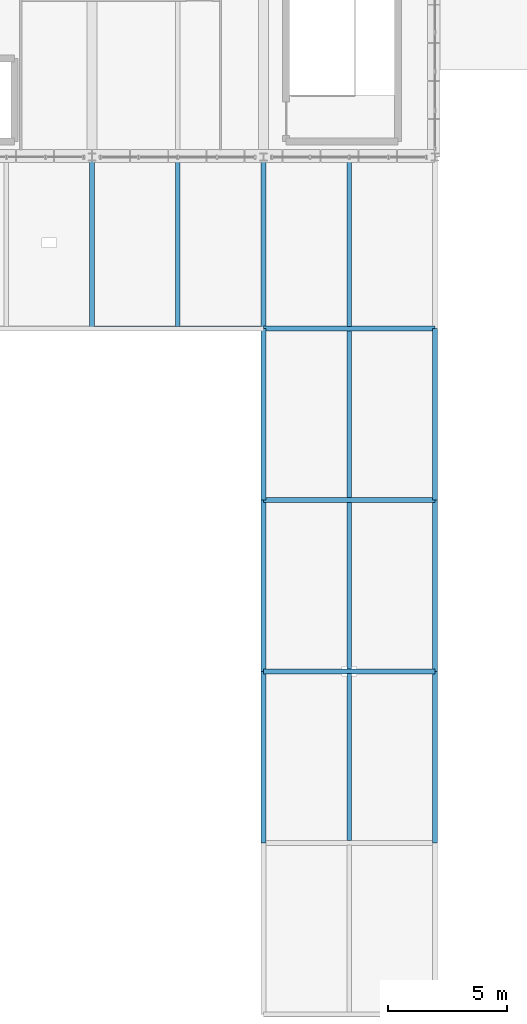
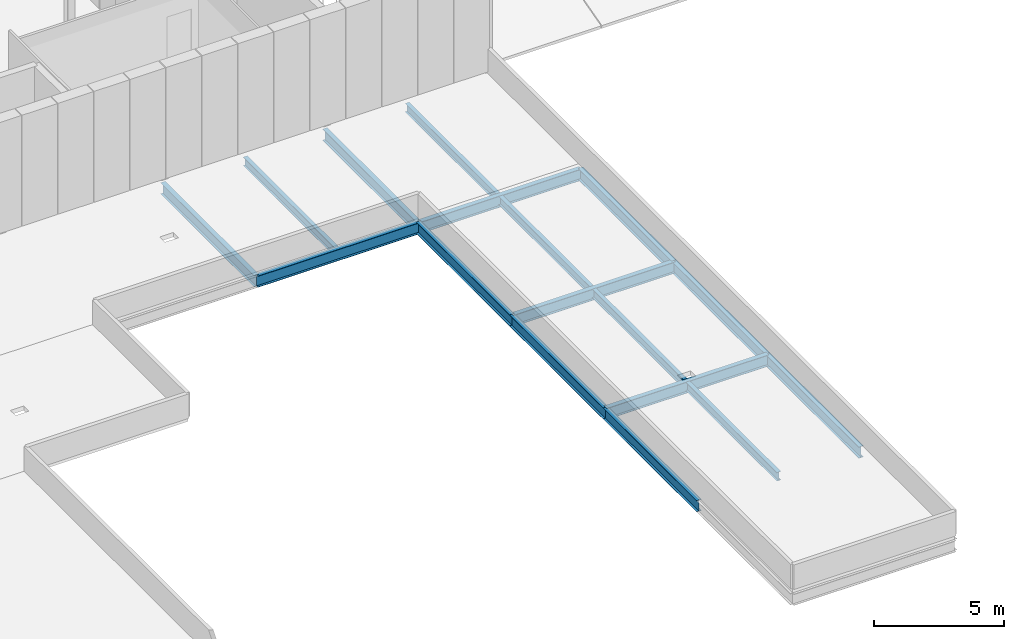
# One storey, part 7 of 47: 17 beams.
"""IFC4 building model written with IfcOpenShell, lengths in metres."""

from ifc_helpers import new_model, si_unit, direction, frame, origin, origin_2d, place, context, subcontext, project, spatial, i_section, extrude, material, material_profile, profile_set, type_object, element, save


model = new_model("IFC4")

# Units and contexts
model_context = context("Model", 3, precision=1e-05, world=origin(), true_north=direction((0.0, 1.0)))
body_context = subcontext(model_context, "Body", "Model", "MODEL_VIEW")
ifc_project = project(units=[si_unit("LENGTHUNIT", "METRE"), si_unit("AREAUNIT", "SQUARE_METRE"), si_unit("VOLUMEUNIT", "CUBIC_METRE"), si_unit("PLANEANGLEUNIT", "RADIAN"), si_unit("MASSUNIT", "GRAM", prefix="KILO")], contexts=[model_context])

# Site, building, storey
site_placement = place(None, origin())
site = spatial("IfcSite", under=ifc_project, at=site_placement, CompositionType="ELEMENT")
building_placement = place(site_placement, origin())
building = spatial("IfcBuilding", under=site, at=building_placement, Name="Yarey Park Central Fire Station", CompositionType="ELEMENT")
storey_placement = place(building_placement, frame((0.0, 0.0, 18.0)))
storey = spatial("IfcBuildingStorey", under=building, at=storey_placement, Name="L05", CompositionType="ELEMENT", Elevation=18.0)

# Beams
ifc_material = material(Name="Steel ASTM A992 Gr. 50", Category="steel")
ifc_material_profile_1 = material_profile(ifc_material, i_section(OverallWidth=0.208984375, OverallDepth=0.532958984375, WebThickness=0.01025390625, FlangeThickness=0.015625, at=origin_2d()), Name="W530x92")
ifc_profile_set_1 = profile_set([ifc_material_profile_1], Name="Steel ASTM A992 Gr. 50")
beam_type_1 = type_object("IfcBeamType", Name="STR_BM_W530", PredefinedType="BEAM", material=ifc_profile_set_1)
for number, where, z_axis, x_axis, name in (
    (1, (50.39990234375, 36.0, -0.4765625), (1.0, 0.0, 0.0), (0.0, 1.0, 0.0), "BMX L05 Y360 X504"),
    (2, (50.39990234375, 43.199951171875, -0.4765625), (1.0, 0.0, 0.0), (0.0, 1.0, 0.0), "BMX L05 Y432 X504"),
):
    element("IfcBeam", number, at=place(storey_placement, frame(where, z_axis=z_axis, x_axis=x_axis)), inside=storey, type_object=beam_type_1, Name=name, PredefinedType="BEAM", context=body_context, shape_type="SweptSolid", body=[
        extrude(i_section(OverallWidth=0.208984375, OverallDepth=0.532958984375, WebThickness=0.01025390625, FlangeThickness=0.015625, at=origin_2d()), origin(), (0.0, 0.0, 1.0), 7.2001953125),
    ])
beam_1_placement = place(storey_placement, frame((43.199951171875, 50.39990234375, -0.4765625), z_axis=(1.0, 0.0, 0.0), x_axis=(0.0, 1.0, 0.0)))
element("IfcBeam", 3, at=beam_1_placement, inside=storey, type_object=beam_type_1, Name="BMX L05 Y504 X432", PredefinedType="BEAM", context=body_context, shape_type="SweptSolid", body=[
    extrude(i_section(OverallWidth=0.208984375, OverallDepth=0.532958984375, WebThickness=0.01025390625, FlangeThickness=0.015625, at=origin_2d()), origin(), (0.0, 0.0, 1.0), 7.199951171875),
])
for number, where, z_axis, x_axis, name in (
    (4, (50.39990234375, 50.39990234375, -0.4765625), (1.0, 0.0, 0.0), (0.0, 1.0, 0.0), "BMX L05 Y504 X504"),
    (5, (43.199951171875, 50.39990234375, -0.4765625), (0.0, 1.0, 0.0), (-1.0, 0.0, 0.0), "BMY L05 X432 Y504"),
):
    element("IfcBeam", number, at=place(storey_placement, frame(where, z_axis=z_axis, x_axis=x_axis)), inside=storey, type_object=beam_type_1, Name=name, PredefinedType="BEAM", context=body_context, shape_type="SweptSolid", body=[
        extrude(i_section(OverallWidth=0.208984375, OverallDepth=0.532958984375, WebThickness=0.01025390625, FlangeThickness=0.015625, at=origin_2d()), origin(), (0.0, 0.0, 1.0), 7.2001953125),
    ])
for number, where, z_axis, x_axis, name in (
    (6, (50.39990234375, 28.800048828125, -0.4765625), (0.0, 1.0, 0.0), (-1.0, 0.0, 0.0), "BMY L05 X504 Y288"),
    (7, (50.39990234375, 36.0, -0.4765625), (0.0, 1.0, 0.0), (-1.0, 0.0, 0.0), "BMY L05 X504 Y360"),
    (8, (50.39990234375, 43.199951171875, -0.4765625), (0.0, 1.0, 0.0), (-1.0, 0.0, 0.0), "BMY L05 X504 Y432"),
):
    element("IfcBeam", number, at=place(storey_placement, frame(where, z_axis=z_axis, x_axis=x_axis)), inside=storey, type_object=beam_type_1, Name=name, PredefinedType="BEAM", context=body_context, shape_type="SweptSolid", body=[
        extrude(i_section(OverallWidth=0.208984375, OverallDepth=0.532958984375, WebThickness=0.01025390625, FlangeThickness=0.015625, at=origin_2d()), origin(), (0.0, 0.0, 1.0), 7.199951171875),
    ])
beam_2_placement = place(storey_placement, frame((50.39990234375, 50.39990234375, -0.4765625), z_axis=(0.0, 1.0, 0.0), x_axis=(-1.0, 0.0, 0.0)))
element("IfcBeam", 9, at=beam_2_placement, inside=storey, type_object=beam_type_1, Name="BMY L05 X504 Y504", PredefinedType="BEAM", context=body_context, shape_type="SweptSolid", body=[
    extrude(i_section(OverallWidth=0.208984375, OverallDepth=0.532958984375, WebThickness=0.01025390625, FlangeThickness=0.015625, at=origin_2d()), origin(), (0.0, 0.0, 1.0), 7.2001953125),
])
for number, where, z_axis, x_axis, name in (
    (10, (57.60009765625, 28.800048828125, -0.4765625), (0.0, 1.0, 0.0), (-1.0, 0.0, 0.0), "BMY L05 X576 Y288"),
    (11, (57.60009765625, 36.0, -0.4765625), (0.0, 1.0, 0.0), (-1.0, 0.0, 0.0), "BMY L05 X576 Y360"),
    (12, (57.60009765625, 43.199951171875, -0.4765625), (0.0, 1.0, 0.0), (-1.0, 0.0, 0.0), "BMY L05 X576 Y432"),
):
    element("IfcBeam", number, at=place(storey_placement, frame(where, z_axis=z_axis, x_axis=x_axis)), inside=storey, type_object=beam_type_1, Name=name, PredefinedType="BEAM", context=body_context, shape_type="SweptSolid", body=[
        extrude(i_section(OverallWidth=0.208984375, OverallDepth=0.532958984375, WebThickness=0.01025390625, FlangeThickness=0.015625, at=origin_2d()), origin(), (0.0, 0.0, 1.0), 7.199951171875),
    ])
ifc_material_profile_2 = material_profile(ifc_material, i_section(OverallWidth=0.177978515625, OverallDepth=0.406982421875, WebThickness=0.0078125, FlangeThickness=0.0126953125, at=origin_2d()), Name="W410x60")
ifc_profile_set_2 = profile_set([ifc_material_profile_2], Name="Steel ASTM A992 Gr. 50")
beam_type_2 = type_object("IfcBeamType", Name="STR_JST_W410", PredefinedType="JOIST", material=ifc_profile_set_2)
beam_3_placement = place(storey_placement, frame((46.800048828125, 50.4951171875, -0.41357421875), z_axis=(0.0, 1.0, 0.0), x_axis=(-1.0, 0.0, 0.0)))
element("IfcBeam", 13, at=beam_3_placement, inside=storey, type_object=beam_type_2, Name="JST L05 X468 Y504", PredefinedType="JOIST", context=body_context, shape_type="SweptSolid", body=[
    extrude(i_section(OverallWidth=0.177978515625, OverallDepth=0.406982421875, WebThickness=0.0078125, FlangeThickness=0.0126953125, at=origin_2d()), origin(), (0.0, 0.0, 1.0), 7.009765625),
])
for number, where, z_axis, x_axis, name in (
    (14, (54.0, 28.89501953125, -0.41357421875), (0.0, 1.0, 0.0), (-1.0, 0.0, 0.0), "JST L05 X540 Y288"),
    (15, (54.0, 36.094970703125, -0.41357421875), (0.0, 1.0, 0.0), (-1.0, 0.0, 0.0), "JST L05 X540 Y360"),
    (16, (54.0, 43.294921875, -0.41357421875), (0.0, 1.0, 0.0), (-1.0, 0.0, 0.0), "JST L05 X540 Y432"),
):
    element("IfcBeam", number, at=place(storey_placement, frame(where, z_axis=z_axis, x_axis=x_axis)), inside=storey, type_object=beam_type_2, Name=name, PredefinedType="JOIST", context=body_context, shape_type="SweptSolid", body=[
        extrude(i_section(OverallWidth=0.177978515625, OverallDepth=0.406982421875, WebThickness=0.0078125, FlangeThickness=0.0126953125, at=origin_2d()), origin(), (0.0, 0.0, 1.0), 7.010009765625),
    ])
beam_4_placement = place(storey_placement, frame((54.0, 50.4951171875, -0.41357421875), z_axis=(0.0, 1.0, 0.0), x_axis=(-1.0, 0.0, 0.0)))
element("IfcBeam", 17, at=beam_4_placement, inside=storey, type_object=beam_type_2, Name="JST L05 X540 Y504", PredefinedType="JOIST", context=body_context, shape_type="SweptSolid", body=[
    extrude(i_section(OverallWidth=0.177978515625, OverallDepth=0.406982421875, WebThickness=0.0078125, FlangeThickness=0.0126953125, at=origin_2d()), origin(), (0.0, 0.0, 1.0), 7.009765625),
])

save(model, "model.ifc")
